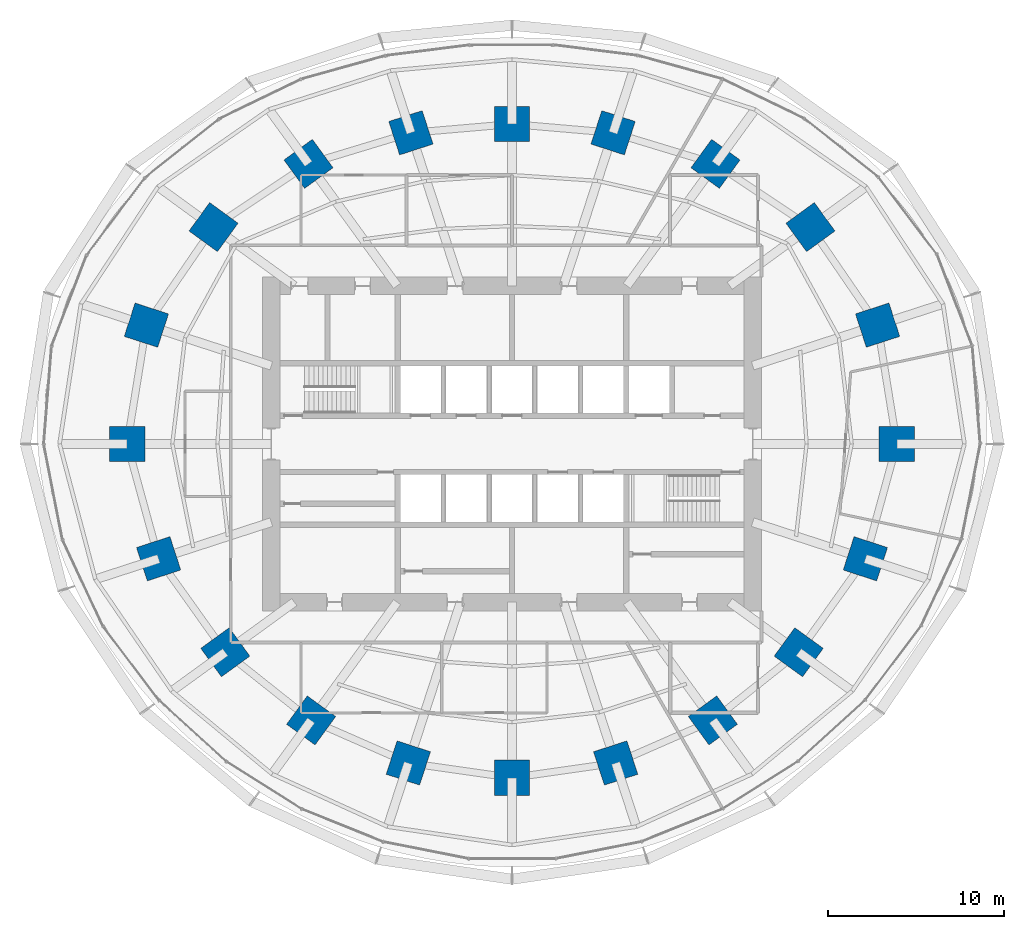
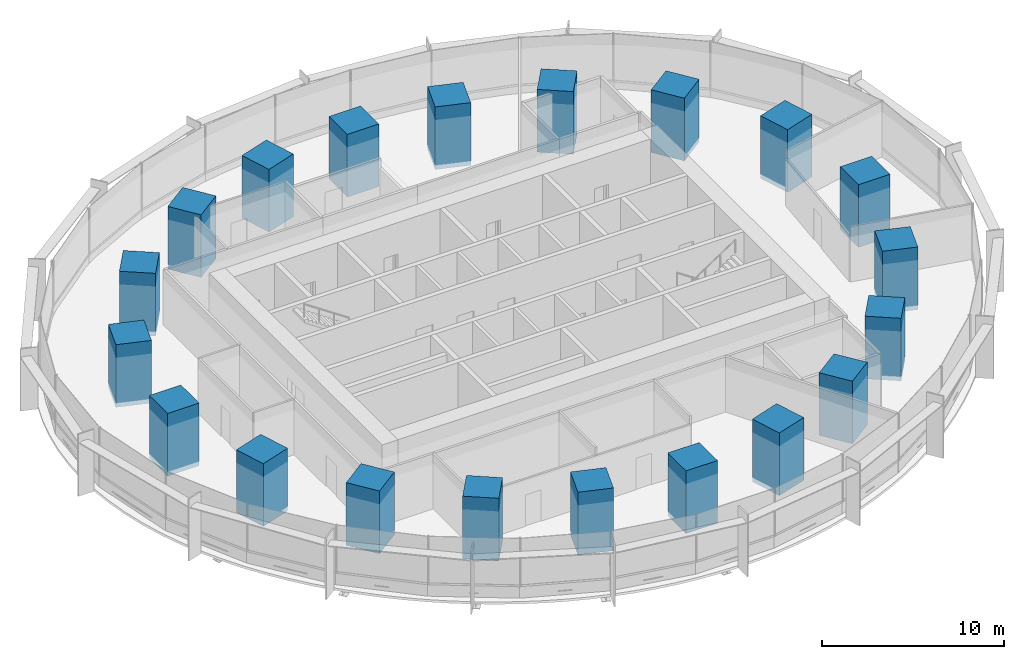
# One storey, part 1 of 15: 20 columns.
"""IFC4 building model written with IfcOpenShell, lengths in metres."""

from ifc_helpers import new_model, si_unit, direction, frame, origin, origin_2d, place, context, subcontext, project, spatial, rectangle, extrude, material, material_profile, profile_set, type_object, element, save


model = new_model("IFC4")

# Units and contexts
model_context = context("Model", 3, precision=1e-05, world=origin(), true_north=direction((0.0, 1.0)))
body_context = subcontext(model_context, "Body", "Model", "MODEL_VIEW")
ifc_project = project(units=[si_unit("LENGTHUNIT", "METRE"), si_unit("AREAUNIT", "SQUARE_METRE"), si_unit("VOLUMEUNIT", "CUBIC_METRE"), si_unit("PLANEANGLEUNIT", "RADIAN"), si_unit("MASSUNIT", "GRAM", prefix="KILO")], contexts=[model_context])

# Site, building, storey
site_placement = place(None, origin())
site = spatial("IfcSite", under=ifc_project, at=site_placement, CompositionType="ELEMENT")
building_placement = place(site_placement, origin())
building = spatial("IfcBuilding", under=site, at=building_placement, Name="Marramba Exchange Tower", CompositionType="ELEMENT")
storey_placement = place(building_placement, frame((0.0, 0.0, 82.60009765625)))
storey = spatial("IfcBuildingStorey", under=building, at=storey_placement, Name="L19", CompositionType="ELEMENT", Elevation=82.60009765625)

# Columns
ifc_material = material(Name="Concrete N50", Category="concrete")
ifc_material_profile = material_profile(ifc_material, rectangle(XDim=2.0, YDim=2.0, at=origin_2d()), Name="RC 2000x2000")
ifc_profile_set = profile_set([ifc_material_profile], Name="Concrete N50")
column_type = type_object("IfcColumnType", Name="Perimeter column RC 2000x2000 N50", PredefinedType="COLUMN", material=ifc_profile_set)
for number, where, z_axis, x_axis, name in (
    (1, (21.89990234375, 0.0, 0.0), (0.0, 0.0, 1.0), (1.0, 0.0, 0.0), "Column TC01 L19"),
    (2, (20.808349609375, 6.760986328125, 0.0), (0.0, 0.0, 1.0), (0.951056516295, 0.309016994375, 0.0), "Column TC02 L19"),
    (3, (16.98583984375, 12.3408203125, 0.0), (0.0, 0.0, 1.0), (0.809016994375, 0.587785252292, 0.0), "Column TC03 L19"),
    (4, (11.581298828125, 15.9404296875, 0.0), (0.0, 0.0, 1.0), (0.587785252292, 0.809016994375, 0.0), "Column TC04 L19"),
    (5, (5.75390625, 17.70849609375, 0.0), (0.0, 0.0, 1.0), (0.309016994375, 0.951056516295, 0.0), "Column TC05 L19"),
    (6, (0.0, 18.2041015625, 0.0), (0.0, 0.0, 1.0), (0.0, 1.0, 0.0), "Column TC06 L19"),
    (7, (-5.75390625, 17.70849609375, 0.0), (0.0, 0.0, 1.0), (-0.309016994375, 0.951056516295, 0.0), "Column TC07 L19"),
    (8, (-11.581298828125, 15.9404296875, 0.0), (0.0, 0.0, 1.0), (-0.587785252292, 0.809016994375, 0.0), "Column TC08 L19"),
    (9, (-16.98583984375, 12.3408203125, 0.0), (0.0, 0.0, 1.0), (-0.809016994375, 0.587785252292, 0.0), "Column TC09 L19"),
    (10, (-20.808349609375, 6.760986328125, 0.0), (0.0, 0.0, 1.0), (-0.951056516295, 0.309016994375, 0.0), "Column TC10 L19"),
    (11, (-21.89990234375, 0.0, 0.0), (0.0, 0.0, 1.0), (-1.0, 0.0, 0.0), "Column TC11 L19"),
    (12, (-20.109375, -6.533935546875, 0.0), (0.0, 0.0, 1.0), (-0.951056516295, -0.309016994375, 0.0), "Column TC12 L19"),
    (13, (-16.3154296875, -11.853759765625, 0.0), (0.0, 0.0, 1.0), (-0.809016994375, -0.587785252292, 0.0), "Column TC13 L19"),
    (14, (-11.430419921875, -15.732666015625, 0.0), (0.0, 0.0, 1.0), (-0.587785252292, -0.809016994375, 0.0), "Column TC14 L19"),
    (15, (-5.899658203125, -18.156982421875, 0.0), (0.0, 0.0, 1.0), (-0.309016994375, -0.951056516295, 0.0), "Column TC15 L19"),
    (16, (0.0, -18.99609375, 0.0), (0.0, 0.0, 1.0), (0.0, -1.0, 0.0), "Column TC16 L19"),
    (17, (5.899658203125, -18.156982421875, 0.0), (0.0, 0.0, 1.0), (0.309016994375, -0.951056516295, 0.0), "Column TC17 L19"),
    (18, (11.430419921875, -15.732666015625, 0.0), (0.0, 0.0, 1.0), (0.587785252292, -0.809016994375, 0.0), "Column TC18 L19"),
    (19, (16.3154296875, -11.853759765625, 0.0), (0.0, 0.0, 1.0), (0.809016994375, -0.587785252292, 0.0), "Column TC19 L19"),
    (20, (20.109375, -6.533935546875, 0.0), (0.0, 0.0, 1.0), (0.951056516295, -0.309016994375, 0.0), "Column TC20 L19"),
):
    element("IfcColumn", number, at=place(storey_placement, frame(where, z_axis=z_axis, x_axis=x_axis)), inside=storey, type_object=column_type, Name=name, PredefinedType="COLUMN", context=body_context, shape_type="SweptSolid", body=[
        extrude(rectangle(XDim=2.0, YDim=2.0, at=origin_2d()), origin(), (0.0, 0.0, 1.0), 4.199951171875),
    ])

save(model, "model.ifc")
